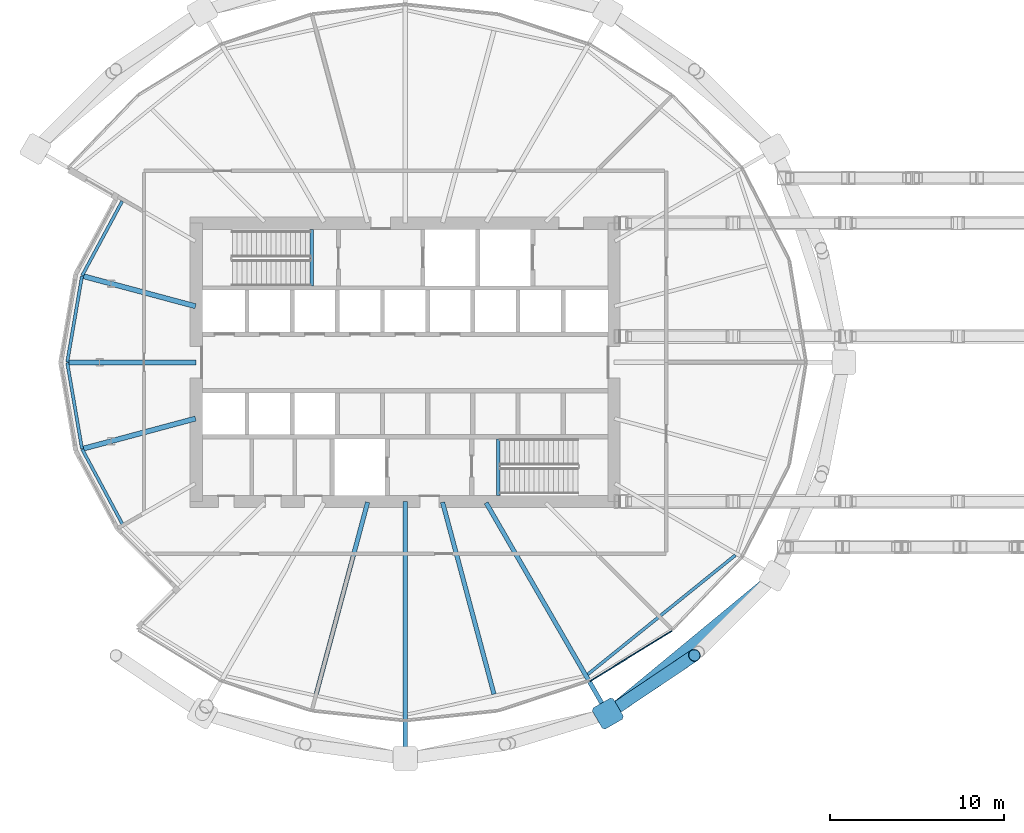
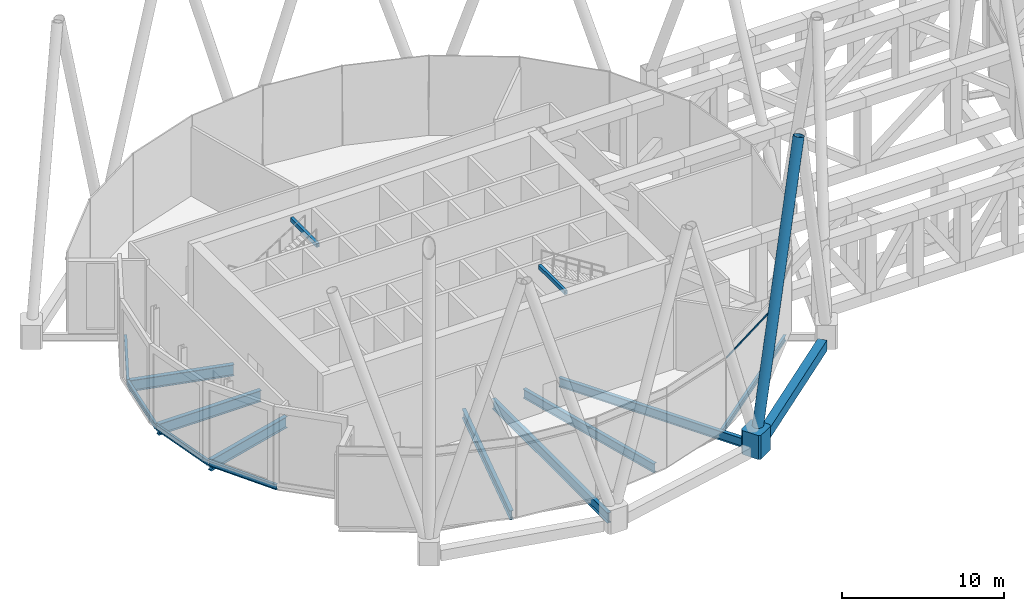
# One storey, part 6 of 39: 15 beams, 3 members, 1 element without a shape of its own.
"""IFC4 building model written with IfcOpenShell, lengths in metres."""

from ifc_helpers import new_model, si_unit, direction, frame, origin, origin_2d, place, context, subcontext, project, spatial, polyline, rectangle, hollow_rectangle, hollow_circle, i_section, outline, extrude, material, material_profile, profile_set, type_object, element, aggregate, save


model = new_model("IFC4")

# Units and contexts
model_context = context("Model", 3, precision=1e-05, world=origin(), true_north=direction((0.0, 1.0)))
body_context = subcontext(model_context, "Body", "Model", "MODEL_VIEW")
ifc_project = project(units=[si_unit("LENGTHUNIT", "METRE"), si_unit("AREAUNIT", "SQUARE_METRE"), si_unit("VOLUMEUNIT", "CUBIC_METRE"), si_unit("PLANEANGLEUNIT", "RADIAN"), si_unit("MASSUNIT", "GRAM", prefix="KILO")], contexts=[model_context])

# Site, building, storey
site_placement = place(None, origin())
site = spatial("IfcSite", under=ifc_project, at=site_placement, CompositionType="ELEMENT")
building_placement = place(site_placement, origin())
building = spatial("IfcBuilding", under=site, at=building_placement, Name="Rimbun Link Towers", CompositionType="ELEMENT")
storey_placement = place(building_placement, frame((0.0, 0.0, 127.199951171875)))
storey = spatial("IfcBuildingStorey", under=building, at=storey_placement, Name="L31", CompositionType="ELEMENT", Elevation=127.199951171875)

# Curtain wall, member
ifc_material_1 = material(Name="Aluminium 6063-T6 louvre wall", Category="aluminium")
curtain_wall_type = type_object("IfcCurtainWallType", Name="CW6 plant floor louvre wall", PredefinedType="NOTDEFINED", material=ifc_material_1)
curtain_wall_placement = place(storey_placement, origin())
curtain_wall = element("IfcCurtainWall", 1, at=curtain_wall_placement, inside=storey, type_object=curtain_wall_type, Name="CW6 L31 T1", PredefinedType="NOTDEFINED")
ifc_material_2 = material(Name="Aluminium 6063-T6", Category="aluminium")
ifc_material_profile_1 = material_profile(ifc_material_2, rectangle(XDim=0.06005859375, YDim=0.1201171875, at=origin_2d()), Name="TRANSOM 60X120")
ifc_profile_set_1 = profile_set([ifc_material_profile_1], Name="Aluminium 6063-T6")
member_type_1 = type_object("IfcMemberType", Name="CW6 transom 60X120", PredefinedType="USERDEFINED", material=ifc_profile_set_1)
member_1_placement = place(storey_placement, frame((-16.412353515625, -15.421630859375, 5.400146484375), z_axis=(-0.85219949089, -0.523216998698, 0.0), x_axis=(0.523216998698, -0.85219949089, 0.0)))
member_1 = element("IfcMember", 2, at=member_1_placement, type_object=member_type_1, Name="CW6 transom", ObjectType="TRANSOM", PredefinedType="USERDEFINED", context=body_context, shape_type="SweptSolid", body=[
    extrude(rectangle(XDim=0.06005859375, YDim=0.1201171875, at=origin_2d()), origin(), (0.0, 0.0, 1.0), 5.54052734375),
])
aggregate(curtain_wall, [member_1])

# Members
ifc_material_3 = material(Name="Steel S460NH", Category="steel")
ifc_material_profile_2 = material_profile(ifc_material_3, hollow_circle(Radius=0.355712890625, WallThickness=0.031982421875, at=origin_2d()), Name="Diagrid diagonal CHS 711x32")
ifc_profile_set_2 = profile_set([ifc_material_profile_2], Name="Steel S460NH")
member_type_2 = type_object("IfcMemberType", Name="Diagrid diagonal CHS 711x32", PredefinedType="BRACE", material=ifc_profile_set_2)
member_2_placement = place(storey_placement, frame((-19.978515625, -20.090576171875, 0.47705078125), z_axis=(0.248182089302, 0.166933190453, 0.954221651649), x_axis=(-0.55811760718, 0.829761855327, 0.0)))
element("IfcMember", 3, at=member_2_placement, inside=storey, type_object=member_type_2, Name="Diagrid diagonal T1 L31-L35 20b", PredefinedType="BRACE", context=body_context, shape_type="SweptSolid", body=[
    extrude(hollow_circle(Radius=0.355712890625, WallThickness=0.031982421875, at=origin_2d()), origin(), (0.0, 0.0, 1.0), 19.54052734375),
])
ifc_material_4 = material(Name="Cast steel G20Mn5+QT, Rp0.2 300 MPa", Category="steel")
ifc_material_profile_3 = material_profile(ifc_material_4, outline(polyline([(0.699951171875, -0.570068359375), (0.699951171875, 0.570068359375), (0.570068359375, 0.699951171875), (-0.570068359375, 0.699951171875), (-0.699951171875, 0.570068359375), (-0.699951171875, -0.570068359375), (-0.570068359375, -0.699951171875), (0.570068359375, -0.699951171875), (0.699951171875, -0.570068359375)])), Name="NODE 1400x1400")
ifc_profile_set_3 = profile_set([ifc_material_profile_3], Name="Cast steel G20Mn5+QT, Rp0.2 300 MPa")
member_type_3 = type_object("IfcMemberType", Name="Diagrid node cast 1400", PredefinedType="USERDEFINED", material=ifc_profile_set_3)
member_3_placement = place(storey_placement, frame((-20.1025390625, -20.174072265625, -0.89990234375), z_axis=(0.0, 0.0, 1.0), x_axis=(0.5, -0.866025403784, 0.0)))
element("IfcMember", 4, at=member_3_placement, inside=storey, type_object=member_type_3, Name="Diagrid node L31 20", ObjectType="Diagrid node", PredefinedType="USERDEFINED", context=body_context, shape_type="SweptSolid", body=[
    extrude(outline(polyline([(0.699951171875, -0.570068359375), (0.699951171875, 0.570068359375), (0.570068359375, 0.699951171875), (-0.570068359375, 0.699951171875), (-0.699951171875, 0.570068359375), (-0.699951171875, -0.570068359375), (-0.570068359375, -0.699951171875), (0.570068359375, -0.699951171875), (0.699951171875, -0.570068359375)])), origin(), (0.0, 0.0, 1.0), 1.800048828125),
])

# Beams
ifc_material_5 = material(Name="Steel S355J2", Category="steel")
ifc_material_profile_4 = material_profile(ifc_material_5, hollow_rectangle(XDim=0.60009765625, YDim=0.800048828125, WallThickness=0.0400390625, at=origin_2d()), Name="Exoskeleton ring girder BOX 600x800x40")
ifc_profile_set_4 = profile_set([ifc_material_profile_4], Name="Steel S355J2")
beam_type_1 = type_object("IfcBeamType", Name="Exoskeleton ring girder BOX 600x800x40", PredefinedType="BEAM", material=ifc_profile_set_4)
beam_1_placement = place(storey_placement, frame((-19.562744140625, -19.728515625, -0.56005859375), z_axis=(0.77108883163, 0.636727582044, 0.0), x_axis=(-0.636727582044, 0.77108883163, 0.0)))
element("IfcBeam", 5, at=beam_1_placement, inside=storey, type_object=beam_type_1, Name="Exoskeleton ring girder L31 08", PredefinedType="BEAM", context=body_context, shape_type="SweptSolid", body=[
    extrude(hollow_rectangle(XDim=0.60009765625, YDim=0.800048828125, WallThickness=0.0400390625, at=origin_2d()), origin(), (0.0, 0.0, 1.0), 11.03125),
])
ifc_material_6 = material(Name="Steel S355J2", Category="steel")
ifc_material_profile_5 = material_profile(ifc_material_6, hollow_rectangle(XDim=0.199951171875, YDim=0.300048828125, WallThickness=0.011962890625, at=origin_2d()), Name="BOX 300x200x12")
ifc_profile_set_5 = profile_set([ifc_material_profile_5], Name="Steel S355J2")
beam_type_2 = type_object("IfcBeamType", Name="Stair trimmer beam BOX 300x200x12", PredefinedType="BEAM", material=ifc_profile_set_5)
for number, where, z_axis, x_axis, name in (
    (6, (-37.10009765625, 7.64990234375, 5.670166015625), (0.0, -1.0, 0.0), (1.0, 0.0, 0.0), "L31 ST1 stair beam 1"),
    (7, (-26.39990234375, -7.64990234375, 5.670166015625), (0.0, 1.0, 0.0), (-1.0, 0.0, 0.0), "L31 ST2 stair beam 1"),
):
    element("IfcBeam", number, at=place(storey_placement, frame(where, z_axis=z_axis, x_axis=x_axis)), inside=storey, type_object=beam_type_2, Name=name, PredefinedType="BEAM", context=body_context, shape_type="SweptSolid", body=[
        extrude(hollow_rectangle(XDim=0.199951171875, YDim=0.300048828125, WallThickness=0.011962890625, at=origin_2d()), origin(), (0.0, 0.0, 1.0), 3.25),
    ])
ifc_material_7 = material(Name="Steel S355J2", Category="steel")
ifc_material_profile_6 = material_profile(ifc_material_7, i_section(OverallWidth=0.177978515625, OverallDepth=0.406494140625, WebThickness=0.0078125, FlangeThickness=0.0126953125, at=origin_2d()), Name="UB 406x178x60")
ifc_profile_set_6 = profile_set([ifc_material_profile_6], Name="Steel S355J2")
beam_type_3 = type_object("IfcBeamType", Name="UB 406x178x60", PredefinedType="BEAM", material=ifc_profile_set_6)
beam_2_placement = place(storey_placement, frame((-48.00390625, 9.25927734375, -0.383056640625), z_axis=(-0.473862748216, -0.880598714429, 0.0), x_axis=(0.880598714429, -0.473862748216, 0.0)))
element("IfcBeam", 8, at=beam_2_placement, inside=storey, type_object=beam_type_3, Name="Edge beam T1 L31 10 recess", PredefinedType="BEAM", context=body_context, shape_type="SweptSolid", body=[
    extrude(i_section(OverallWidth=0.177978515625, OverallDepth=0.406494140625, WebThickness=0.0078125, FlangeThickness=0.0126953125, at=origin_2d()), origin(), (0.0, 0.0, 1.0), 4.851806640625),
])
for number, where, z_axis, x_axis, name in (
    (9, (-50.31298828125, 4.9580078125, -0.383056640625), (-0.168677279671, -0.985671332302, 0.0), (0.985671332302, -0.168677279671, 0.0), "Edge beam T1 L31 11 recess"),
    (10, (-51.15869140625, -0.01611328125, -0.383056640625), (0.168677279671, -0.985671332302, 0.0), (0.985671332302, 0.168677279671, 0.0), "Edge beam T1 L31 12 recess"),
):
    element("IfcBeam", number, at=place(storey_placement, frame(where, z_axis=z_axis, x_axis=x_axis)), inside=storey, type_object=beam_type_3, Name=name, PredefinedType="BEAM", context=body_context, shape_type="SweptSolid", body=[
        extrude(i_section(OverallWidth=0.177978515625, OverallDepth=0.406494140625, WebThickness=0.0078125, FlangeThickness=0.0126953125, at=origin_2d()), origin(), (0.0, 0.0, 1.0), 5.013671875),
    ])
beam_3_placement = place(storey_placement, frame((-50.302978515625, -4.98681640625, -0.383056640625), z_axis=(0.473826044688, -0.880618464135, 0.0), x_axis=(0.880618464135, 0.473826044688, 0.0)))
element("IfcBeam", 11, at=beam_3_placement, inside=storey, type_object=beam_type_3, Name="Edge beam T1 L31 13 recess", PredefinedType="BEAM", context=body_context, shape_type="SweptSolid", body=[
    extrude(i_section(OverallWidth=0.177978515625, OverallDepth=0.406494140625, WebThickness=0.0078125, FlangeThickness=0.0126953125, at=origin_2d()), origin(), (0.0, 0.0, 1.0), 4.94580078125),
])
beam_4_placement = place(storey_placement, frame((-21.25439453125, -17.923095703125, -0.383056640625), z_axis=(0.777984140166, 0.628283914843, 0.0), x_axis=(-0.628283914843, 0.777984140166, 0.0)))
element("IfcBeam", 12, at=beam_4_placement, inside=storey, type_object=beam_type_3, Name="Edge beam T1 L31 20-22", PredefinedType="BEAM", context=body_context, shape_type="SweptSolid", body=[
    extrude(i_section(OverallWidth=0.177978515625, OverallDepth=0.406494140625, WebThickness=0.0078125, FlangeThickness=0.0126953125, at=origin_2d()), origin(), (0.0, 0.0, 1.0), 10.8974609375),
])
ifc_material_8 = material(Name="Steel S355J2", Category="steel")
ifc_material_profile_7 = material_profile(ifc_material_8, i_section(OverallWidth=0.253662109375, OverallDepth=0.68359375, WebThickness=0.012451171875, FlangeThickness=0.01904296875, at=origin_2d()), Name="UB 686x254x140")
ifc_profile_set_7 = profile_set([ifc_material_profile_7], Name="Steel S355J2")
beam_type_4 = type_object("IfcBeamType", Name="UB 686x254x140", PredefinedType="BEAM", material=ifc_profile_set_7)
for number, where, z_axis, x_axis, name in (
    (13, (-33.902587890625, -8.03369140625, -0.521728515625), (-0.2588262692, -0.965923890569, 0.0), (0.965923890569, -0.2588262692, 0.0), "Radial beam T1 L31 17"),
    (14, (-29.597412109375, -8.03369140625, -0.521728515625), (0.2588262692, -0.965923890569, 0.0), (0.965923890569, 0.2588262692, 0.0), "Radial beam T1 L31 19"),
):
    element("IfcBeam", number, at=place(storey_placement, frame(where, z_axis=z_axis, x_axis=x_axis)), inside=storey, type_object=beam_type_4, Name=name, PredefinedType="BEAM", context=body_context, shape_type="SweptSolid", body=[
        extrude(i_section(OverallWidth=0.253662109375, OverallDepth=0.68359375, WebThickness=0.012451171875, FlangeThickness=0.01904296875, at=origin_2d()), origin(), (0.0, 0.0, 1.0), 11.41162109375),
    ])
beam_5_placement = place(storey_placement, frame((-27.093994140625, -8.064208984375, -0.521728515625), z_axis=(0.499985251534, -0.866033918648, 0.0), x_axis=(0.866033918648, 0.499985251534, 0.0)))
element("IfcBeam", 15, at=beam_5_placement, inside=storey, type_object=beam_type_4, Name="Radial beam T1 L31 20", PredefinedType="BEAM", context=body_context, shape_type="SweptSolid", body=[
    extrude(i_section(OverallWidth=0.253662109375, OverallDepth=0.68359375, WebThickness=0.012451171875, FlangeThickness=0.01904296875, at=origin_2d()), origin(), (0.0, 0.0, 1.0), 13.4833984375),
])
ifc_material_9 = material(Name="Steel S355J2", Category="steel")
ifc_material_profile_8 = material_profile(ifc_material_9, i_section(OverallWidth=0.2666015625, OverallDepth=0.76220703125, WebThickness=0.014404296875, FlangeThickness=0.021484375, at=origin_2d()), Name="UB 762x267x173")
ifc_profile_set_8 = profile_set([ifc_material_profile_8], Name="Steel S355J2")
beam_type_5 = type_object("IfcBeamType", Name="UB 762x267x173", PredefinedType="BEAM", material=ifc_profile_set_8)
beam_6_placement = place(storey_placement, frame((-31.75, -8.0009765625, -0.56103515625), z_axis=(0.0, -1.0, 0.0), x_axis=(1.0, 0.0, 0.0)))
element("IfcBeam", 16, at=beam_6_placement, inside=storey, type_object=beam_type_5, Name="Radial beam T1 L31 18", PredefinedType="BEAM", context=body_context, shape_type="SweptSolid", body=[
    extrude(i_section(OverallWidth=0.2666015625, OverallDepth=0.76220703125, WebThickness=0.014404296875, FlangeThickness=0.021484375, at=origin_2d()), origin(), (0.0, 0.0, 1.0), 14.253662109375),
])
ifc_material_10 = material(Name="Steel S355J2", Category="steel")
ifc_material_profile_9 = material_profile(ifc_material_10, i_section(OverallWidth=0.29248046875, OverallDepth=0.8408203125, WebThickness=0.0126953125, FlangeThickness=0.021728515625, at=origin_2d()), Name="UB 838x292x194")
ifc_profile_set_9 = profile_set([ifc_material_profile_9], Name="Steel S355J2")
beam_type_6 = type_object("IfcBeamType", Name="UB 838x292x194", PredefinedType="BEAM", material=ifc_profile_set_9)
beam_7_placement = place(storey_placement, frame((-43.788818359375, 3.225830078125, -0.600341796875), z_axis=(-0.965926457713, 0.258816688586, 0.0), x_axis=(-0.258816688586, -0.965926457713, 0.0)))
element("IfcBeam", 17, at=beam_7_placement, inside=storey, type_object=beam_type_6, Name="Radial beam T1 L31 11", PredefinedType="BEAM", context=body_context, shape_type="SweptSolid", body=[
    extrude(i_section(OverallWidth=0.29248046875, OverallDepth=0.8408203125, WebThickness=0.0126953125, FlangeThickness=0.021728515625, at=origin_2d()), origin(), (0.0, 0.0, 1.0), 6.66162109375),
])
beam_8_placement = place(storey_placement, frame((-43.7509765625, 0.0, -0.600341796875), z_axis=(-1.0, 0.0, 0.0), x_axis=(0.0, -1.0, 0.0)))
element("IfcBeam", 18, at=beam_8_placement, inside=storey, type_object=beam_type_6, Name="Radial beam T1 L31 12", PredefinedType="BEAM", context=body_context, shape_type="SweptSolid", body=[
    extrude(i_section(OverallWidth=0.29248046875, OverallDepth=0.8408203125, WebThickness=0.0126953125, FlangeThickness=0.021728515625, at=origin_2d()), origin(), (0.0, 0.0, 1.0), 7.320556640625),
])
beam_9_placement = place(storey_placement, frame((-43.788818359375, -3.225830078125, -0.600341796875), z_axis=(-0.965926457713, -0.258816688586, 0.0), x_axis=(0.258816688586, -0.965926457713, 0.0)))
element("IfcBeam", 19, at=beam_9_placement, inside=storey, type_object=beam_type_6, Name="Radial beam T1 L31 13", PredefinedType="BEAM", context=body_context, shape_type="SweptSolid", body=[
    extrude(i_section(OverallWidth=0.29248046875, OverallDepth=0.8408203125, WebThickness=0.0126953125, FlangeThickness=0.021728515625, at=origin_2d()), origin(), (0.0, 0.0, 1.0), 6.66162109375),
])

save(model, "model.ifc")
